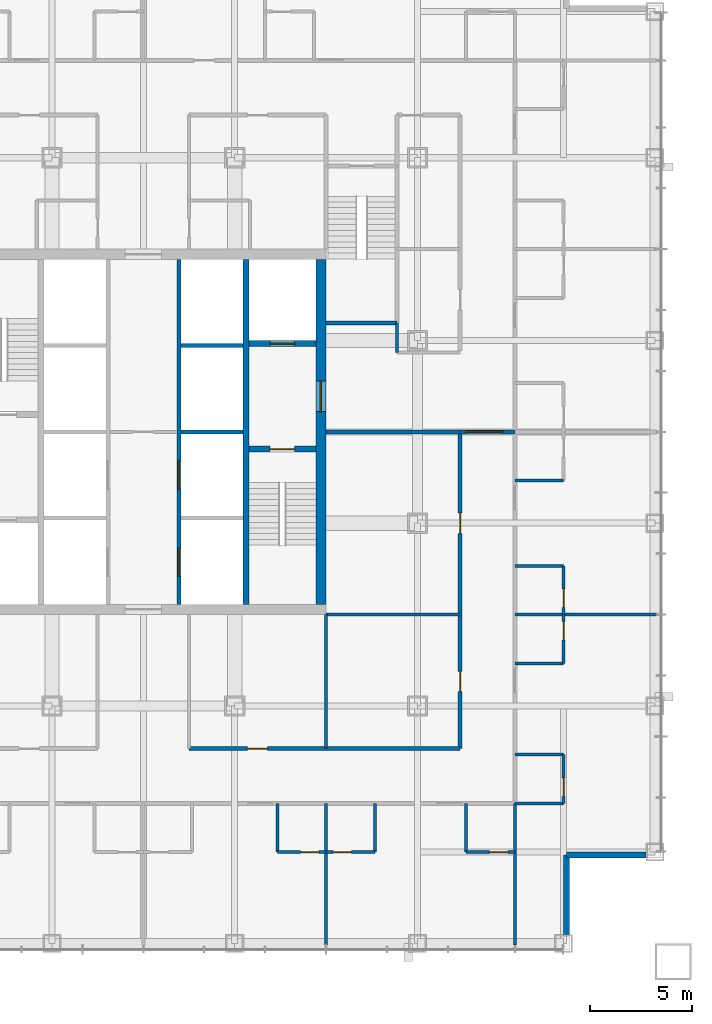
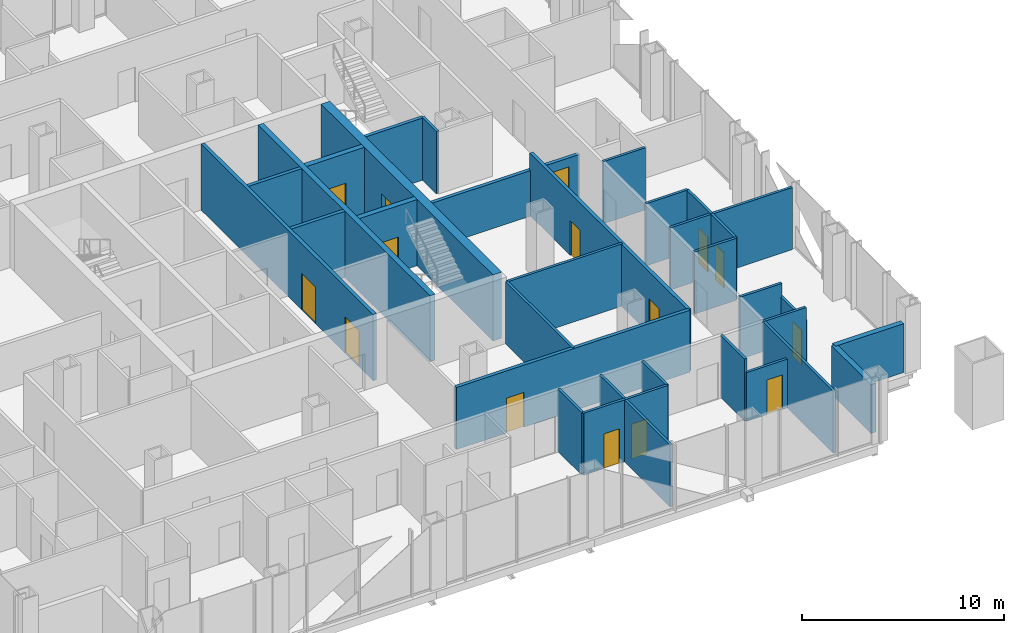
# One storey, part 9 of 13: 34 walls, 15 doors, 15 openings.
"""IFC4 building model written with IfcOpenShell, lengths in metres."""

from ifc_helpers import new_model, si_unit, direction, frame, frame_2d, origin, place, context, subcontext, project, spatial, rectangle, extrude, material, layer, layer_set, type_object, element, fill, save


model = new_model("IFC4")

# Units and contexts
model_context = context("Model", 3, precision=1e-05, world=origin(), true_north=direction((0.0, 1.0)))
body_context = subcontext(model_context, "Body", "Model", "MODEL_VIEW")
ifc_project = project(units=[si_unit("LENGTHUNIT", "METRE"), si_unit("AREAUNIT", "SQUARE_METRE"), si_unit("VOLUMEUNIT", "CUBIC_METRE"), si_unit("PLANEANGLEUNIT", "RADIAN"), si_unit("MASSUNIT", "GRAM", prefix="KILO")], contexts=[model_context])

# Site, building, storey
site_placement = place(None, origin())
site = spatial("IfcSite", under=ifc_project, at=site_placement, CompositionType="ELEMENT")
building_placement = place(site_placement, origin())
building = spatial("IfcBuilding", under=site, at=building_placement, Name="Malebo Sky Hospital", CompositionType="ELEMENT")
storey_placement = place(building_placement, frame((0.0, 0.0, 39.0)))
storey = spatial("IfcBuildingStorey", under=building, at=storey_placement, Name="L08", CompositionType="ELEMENT", Elevation=39.0)

# Wall, openings, doors
ifc_material_1 = material(Name="Concrete C80/95", Category="concrete")
ifc_layer_1 = layer(ifc_material_1, 0.199951171875)
ifc_layer_set_1 = layer_set([ifc_layer_1], Name="CORE INNER WALL 200")
wall_type_1 = type_object("IfcWallType", Name="CORE INNER WALL 200", PredefinedType="SHEAR", material=ifc_layer_set_1)
wall_1_placement = place(storey_placement, frame((61.75, 53.5, 0.0), z_axis=(0.0, 0.0, 1.0), x_axis=(0.0, 1.0, 0.0)))
wall_1 = element("IfcWall", 1, at=wall_1_placement, inside=storey, type_object=wall_type_1, Name="Core wall LE L08", PredefinedType="SHEAR", context=body_context, shape_type="SweptSolid", body=[
    extrude(rectangle(XDim=17.0, YDim=0.199951171875, at=frame_2d((8.5, 0.0))), origin(), (0.0, 0.0, 1.0), 4.0),
])
opening_1_placement = place(wall_1_placement, frame((1.375, 0.0, 0.0)))
opening_1 = element("IfcOpeningElement", 2, at=opening_1_placement, cuts=wall_1, Name="Opening LD1", PredefinedType="OPENING", context=body_context, shape_type="SweptSolid", body=[
    extrude(rectangle(XDim=1.39990234375, YDim=2.199951171875, at=frame_2d((0.699951171875, 1.10009765625))), frame((0.0, 0.10986328125, 0.0), z_axis=(0.0, -1.0, 0.0), x_axis=(1.0, 0.0, 0.0)), (0.0, 0.0, 1.0), 0.219970703125),
])
opening_2_placement = place(wall_1_placement, frame((5.675048828125, 0.0, 0.0)))
opening_2 = element("IfcOpeningElement", 3, at=opening_2_placement, cuts=wall_1, Name="Opening LD1", PredefinedType="OPENING", context=body_context, shape_type="SweptSolid", body=[
    extrude(rectangle(XDim=1.39990234375, YDim=2.199951171875, at=frame_2d((0.699951171875, 1.10009765625))), frame((0.0, 0.10986328125, 0.0), z_axis=(0.0, -1.0, 0.0), x_axis=(1.0, 0.0, 0.0)), (0.0, 0.0, 1.0), 0.219970703125),
])
ifc_material_2 = material(Name="Stainless steel sliding landing door", Category="steel")
door_type_1 = type_object("IfcDoorType", Name="LIFT LANDING DOOR 1400", OperationType="SLIDING_TO_LEFT", PredefinedType="DOOR", material=ifc_material_2)
door_1_placement = place(opening_1_placement, origin())
door_1 = element("IfcDoor", 4, at=door_1_placement, inside=storey, type_object=door_type_1, Name="Lift E1 landing door", OperationType="SLIDING_TO_LEFT", OverallHeight=2.199951171875, OverallWidth=1.39990234375, PredefinedType="DOOR", context=body_context, shape_type="SweptSolid", body=[
    extrude(rectangle(XDim=1.39990234375, YDim=2.199951171875, at=frame_2d((0.699951171875, 1.10009765625))), frame((0.0, 0.02490234375, 0.0), z_axis=(0.0, -1.0, 0.0), x_axis=(1.0, 0.0, 0.0)), (0.0, 0.0, 1.0), 0.050048828125),
])
fill(opening_1, door_1)
door_2_placement = place(opening_2_placement, origin())
door_2 = element("IfcDoor", 5, at=door_2_placement, inside=storey, type_object=door_type_1, Name="Lift E2 landing door", OperationType="SLIDING_TO_LEFT", OverallHeight=2.199951171875, OverallWidth=1.39990234375, PredefinedType="DOOR", context=body_context, shape_type="SweptSolid", body=[
    extrude(rectangle(XDim=1.39990234375, YDim=2.199951171875, at=frame_2d((0.699951171875, 1.10009765625))), frame((0.0, 0.02490234375, 0.0), z_axis=(0.0, -1.0, 0.0), x_axis=(1.0, 0.0, 0.0)), (0.0, 0.0, 1.0), 0.050048828125),
])
fill(opening_2, door_2)

# Walls
for number, where, z_axis, x_axis, name in (
    (6, (61.85009765625, 62.0, 0.0), (0.0, 0.0, 1.0), (1.0, 0.0, 0.0), "Core wall SE1 L08"),
    (7, (61.85009765625, 66.25, 0.0), (0.0, 0.0, 1.0), (1.0, 0.0, 0.0), "Core wall SE2 L08"),
):
    element("IfcWall", number, at=place(storey_placement, frame(where, z_axis=z_axis, x_axis=x_axis)), inside=storey, type_object=wall_type_1, Name=name, PredefinedType="SHEAR", context=body_context, shape_type="SweptSolid", body=[
        extrude(rectangle(XDim=3.0498046875, YDim=0.199951171875, at=frame_2d((1.52490234375, 0.0))), origin(), (0.0, 0.0, 1.0), 4.0),
    ])
ifc_layer_2 = layer(ifc_material_1, 0.300048828125)
ifc_layer_set_2 = layer_set([ifc_layer_2], Name="CORE INNER WALL 300")
wall_type_2 = type_object("IfcWallType", Name="CORE INNER WALL 300", PredefinedType="SHEAR", material=ifc_layer_set_2)
wall_2_placement = place(storey_placement, frame((65.050048828125, 53.5, 0.0), z_axis=(0.0, 0.0, 1.0), x_axis=(0.0, 1.0, 0.0)))
element("IfcWall", 8, at=wall_2_placement, inside=storey, type_object=wall_type_2, Name="Core wall XE L08", PredefinedType="SHEAR", context=body_context, shape_type="SweptSolid", body=[
    extrude(rectangle(XDim=17.0, YDim=0.300048828125, at=frame_2d((8.5, 0.0))), origin(), (0.0, 0.0, 1.0), 4.0),
])

# Wall, opening, door
wall_3_placement = place(storey_placement, frame((65.199951171875, 61.14990234375, 0.0), z_axis=(0.0, 0.0, 1.0), x_axis=(1.0, 0.0, 0.0)))
wall_3 = element("IfcWall", 9, at=wall_3_placement, inside=storey, type_object=wall_type_2, Name="Core wall E1 L08", PredefinedType="SHEAR", context=body_context, shape_type="SweptSolid", body=[
    extrude(rectangle(XDim=3.300048828125, YDim=0.300048828125, at=frame_2d((1.64990234375, 0.0))), origin(), (0.0, 0.0, 1.0), 4.0),
])
opening_3_placement = place(wall_3_placement, frame((1.050048828125, 0.0, 0.0)))
opening_3 = element("IfcOpeningElement", 10, at=opening_3_placement, cuts=wall_3, Name="Opening D08", PredefinedType="OPENING", context=body_context, shape_type="SweptSolid", body=[
    extrude(rectangle(XDim=1.199951171875, YDim=2.10009765625, at=frame_2d((0.60009765625, 1.050048828125))), frame((0.0, 0.159912109375, 0.0), z_axis=(0.0, -1.0, 0.0), x_axis=(1.0, 0.0, 0.0)), (0.0, 0.0, 1.0), 0.320068359375),
])
ifc_material_3 = material(Name="Hardwood-faced door leaf in steel frame", Category="steel")
door_type_2 = type_object("IfcDoorType", Name="STAIR DOOR 1200", OperationType="SINGLE_SWING_LEFT", PredefinedType="DOOR", material=ifc_material_3)
door_3_placement = place(opening_3_placement, origin())
door_3 = element("IfcDoor", 11, at=door_3_placement, inside=storey, type_object=door_type_2, Name="Stair S2 door", OperationType="SINGLE_SWING_LEFT", OverallHeight=2.10009765625, OverallWidth=1.199951171875, PredefinedType="DOOR", context=body_context, shape_type="SweptSolid", body=[
    extrude(rectangle(XDim=1.199951171875, YDim=2.10009765625, at=frame_2d((0.60009765625, 1.050048828125))), frame((0.0, 0.02490234375, 0.0), z_axis=(0.0, -1.0, 0.0), x_axis=(1.0, 0.0, 0.0)), (0.0, 0.0, 1.0), 0.050048828125),
])
fill(opening_3, door_3)

wall_4_placement = place(storey_placement, frame((65.199951171875, 66.35009765625, 0.0), z_axis=(0.0, 0.0, 1.0), x_axis=(1.0, 0.0, 0.0)))
wall_4 = element("IfcWall", 12, at=wall_4_placement, inside=storey, type_object=wall_type_2, Name="Core wall E2 L08", PredefinedType="SHEAR", context=body_context, shape_type="SweptSolid", body=[
    extrude(rectangle(XDim=3.300048828125, YDim=0.300048828125, at=frame_2d((1.64990234375, 0.0))), origin(), (0.0, 0.0, 1.0), 4.0),
])
opening_4_placement = place(wall_4_placement, frame((1.050048828125, 0.0, 0.0)))
opening_4 = element("IfcOpeningElement", 13, at=opening_4_placement, cuts=wall_4, Name="Opening LD2", PredefinedType="OPENING", context=body_context, shape_type="SweptSolid", body=[
    extrude(rectangle(XDim=1.199951171875, YDim=2.199951171875, at=frame_2d((0.60009765625, 1.10009765625))), frame((0.0, 0.159912109375, 0.0), z_axis=(0.0, -1.0, 0.0), x_axis=(1.0, 0.0, 0.0)), (0.0, 0.0, 1.0), 0.320068359375),
])
door_type_3 = type_object("IfcDoorType", Name="FIRE-FIGHTING LIFT LANDING DOOR 1200", OperationType="SLIDING_TO_LEFT", PredefinedType="DOOR", material=ifc_material_2)
door_4_placement = place(opening_4_placement, origin())
door_4 = element("IfcDoor", 14, at=door_4_placement, inside=storey, type_object=door_type_3, Name="Lift FL2 landing door", OperationType="SLIDING_TO_LEFT", OverallHeight=2.199951171875, OverallWidth=1.199951171875, PredefinedType="DOOR", context=body_context, shape_type="SweptSolid", body=[
    extrude(rectangle(XDim=1.199951171875, YDim=2.199951171875, at=frame_2d((0.60009765625, 1.10009765625))), frame((0.0, 0.02490234375, 0.0), z_axis=(0.0, -1.0, 0.0), x_axis=(1.0, 0.0, 0.0)), (0.0, 0.0, 1.0), 0.050048828125),
])
fill(opening_4, door_4)

ifc_layer_3 = layer(ifc_material_1, 0.5)
ifc_layer_set_3 = layer_set([ifc_layer_3], Name="CORE WALL 500")
wall_type_3 = type_object("IfcWallType", Name="CORE WALL 500", PredefinedType="SHEAR", material=ifc_layer_set_3)
wall_5_placement = place(storey_placement, frame((68.75, 53.5, 0.0), z_axis=(0.0, 0.0, 1.0), x_axis=(0.0, 1.0, 0.0)))
wall_5 = element("IfcWall", 15, at=wall_5_placement, inside=storey, type_object=wall_type_3, Name="Core wall E L08", PredefinedType="SHEAR", context=body_context, shape_type="SweptSolid", body=[
    extrude(rectangle(XDim=17.0, YDim=0.5, at=frame_2d((8.5, 0.0))), origin(), (0.0, 0.0, 1.0), 4.0),
])
opening_5_placement = place(wall_5_placement, frame((9.5, 0.0, 0.0)))
opening_5 = element("IfcOpeningElement", 16, at=opening_5_placement, cuts=wall_5, Name="Opening D07", PredefinedType="OPENING", context=body_context, shape_type="SweptSolid", body=[
    extrude(rectangle(XDim=1.5, YDim=2.199951171875, at=frame_2d((0.75, 1.10009765625))), frame((0.0, 0.260009765625, 0.0), z_axis=(0.0, -1.0, 0.0), x_axis=(1.0, 0.0, 0.0)), (0.0, 0.0, 1.0), 0.52001953125),
])
door_type_4 = type_object("IfcDoorType", Name="FIRE-FIGHTING LOBBY DOOR PAIR 1500", OperationType="DOUBLE_DOOR_SINGLE_SWING", PredefinedType="DOOR", material=ifc_material_3)
door_5_placement = place(opening_5_placement, origin())
door_5 = element("IfcDoor", 17, at=door_5_placement, inside=storey, type_object=door_type_4, Name="Fire-fighting lobby door east", OperationType="DOUBLE_DOOR_SINGLE_SWING", OverallHeight=2.199951171875, OverallWidth=1.5, PredefinedType="DOOR", context=body_context, shape_type="SweptSolid", body=[
    extrude(rectangle(XDim=1.5, YDim=2.199951171875, at=frame_2d((0.75, 1.10009765625))), frame((0.0, 0.02490234375, 0.0), z_axis=(0.0, -1.0, 0.0), x_axis=(1.0, 0.0, 0.0)), (0.0, 0.0, 1.0), 0.050048828125),
])
fill(opening_5, door_5)

ifc_material_4 = material(Name="Gypsum board on steel studs", Category="steel")
ifc_layer_4 = layer(ifc_material_4, 0.199951171875)
ifc_layer_set_4 = layer_set([ifc_layer_4], Name="CORRIDOR WALL 200")
wall_type_4 = type_object("IfcWallType", Name="CORRIDOR WALL 200", PredefinedType="PARTITIONING", material=ifc_layer_set_4)
wall_6_placement = place(storey_placement, frame((75.60009765625, 46.39990234375, 0.0), z_axis=(0.0, 0.0, 1.0), x_axis=(-1.0, 0.0, 0.0)))
wall_6 = element("IfcWall", 18, at=wall_6_placement, inside=storey, type_object=wall_type_4, Name="Corridor Wall 200 SCI1", PredefinedType="PARTITIONING", context=body_context, shape_type="SweptSolid", body=[
    extrude(rectangle(XDim=13.35009765625, YDim=0.199951171875, at=frame_2d((6.675048828125, 0.0))), origin(), (0.0, 0.0, 1.0), 3.75),
])
opening_6_placement = place(wall_6_placement, frame((9.47509765625, 0.0, 0.0)))
opening_6 = element("IfcOpeningElement", 19, at=opening_6_placement, cuts=wall_6, Name="Opening D03", PredefinedType="OPENING", context=body_context, shape_type="SweptSolid", body=[
    extrude(rectangle(XDim=1.0, YDim=2.10009765625, at=frame_2d((0.5, 1.050048828125))), frame((0.0, 0.10986328125, 0.0), z_axis=(0.0, -1.0, 0.0), x_axis=(1.0, 0.0, 0.0)), (0.0, 0.0, 1.0), 0.219970703125),
])
door_type_5 = type_object("IfcDoorType", Name="ROOM DOOR 1000", OperationType="SINGLE_SWING_LEFT", PredefinedType="DOOR", material=ifc_material_3)
door_6_placement = place(opening_6_placement, origin())
door_6 = element("IfcDoor", 20, at=door_6_placement, inside=storey, type_object=door_type_5, Name="Treatment room door", OperationType="SINGLE_SWING_LEFT", OverallHeight=2.10009765625, OverallWidth=1.0, PredefinedType="DOOR", context=body_context, shape_type="SweptSolid", body=[
    extrude(rectangle(XDim=1.0, YDim=2.10009765625, at=frame_2d((0.5, 1.050048828125))), frame((0.0, 0.02490234375, 0.0), z_axis=(0.0, -1.0, 0.0), x_axis=(1.0, 0.0, 0.0)), (0.0, 0.0, 1.0), 0.050048828125),
])
fill(opening_6, door_6)

# Wall, openings, doors
wall_7_placement = place(storey_placement, frame((75.60009765625, 62.0, 0.0), z_axis=(0.0, 0.0, 1.0), x_axis=(0.0, -1.0, 0.0)))
wall_7 = element("IfcWall", 21, at=wall_7_placement, inside=storey, type_object=wall_type_4, Name="Corridor Wall 200 ECI2", PredefinedType="PARTITIONING", context=body_context, shape_type="SweptSolid", body=[
    extrude(rectangle(XDim=15.60009765625, YDim=0.199951171875, at=frame_2d((7.800048828125, 0.0))), origin(), (0.0, 0.0, 1.0), 3.75),
])
opening_7_placement = place(wall_7_placement, frame((4.0, 0.0, 0.0)))
opening_7 = element("IfcOpeningElement", 22, at=opening_7_placement, cuts=wall_7, Name="Opening D03", PredefinedType="OPENING", context=body_context, shape_type="SweptSolid", body=[
    extrude(rectangle(XDim=1.0, YDim=2.10009765625, at=frame_2d((0.5, 1.050048828125))), frame((0.0, 0.10986328125, 0.0), z_axis=(0.0, -1.0, 0.0), x_axis=(1.0, 0.0, 0.0)), (0.0, 0.0, 1.0), 0.219970703125),
])
opening_8_placement = place(wall_7_placement, frame((11.800048828125, 0.0, 0.0)))
opening_8 = element("IfcOpeningElement", 23, at=opening_8_placement, cuts=wall_7, Name="Opening D03", PredefinedType="OPENING", context=body_context, shape_type="SweptSolid", body=[
    extrude(rectangle(XDim=1.0, YDim=2.10009765625, at=frame_2d((0.5, 1.050048828125))), frame((0.0, 0.10986328125, 0.0), z_axis=(0.0, -1.0, 0.0), x_axis=(1.0, 0.0, 0.0)), (0.0, 0.0, 1.0), 0.219970703125),
])
door_7_placement = place(opening_7_placement, origin())
door_7 = element("IfcDoor", 24, at=door_7_placement, inside=storey, type_object=door_type_5, Name="Staff rest room door", OperationType="SINGLE_SWING_LEFT", OverallHeight=2.10009765625, OverallWidth=1.0, PredefinedType="DOOR", context=body_context, shape_type="SweptSolid", body=[
    extrude(rectangle(XDim=1.0, YDim=2.10009765625, at=frame_2d((0.5, 1.050048828125))), frame((0.0, 0.02490234375, 0.0), z_axis=(0.0, -1.0, 0.0), x_axis=(1.0, 0.0, 0.0)), (0.0, 0.0, 1.0), 0.050048828125),
])
fill(opening_7, door_7)
door_8_placement = place(opening_8_placement, origin())
door_8 = element("IfcDoor", 25, at=door_8_placement, inside=storey, type_object=door_type_5, Name="Dirty utility room door", OperationType="SINGLE_SWING_RIGHT", OverallHeight=2.10009765625, OverallWidth=1.0, PredefinedType="DOOR", context=body_context, shape_type="SweptSolid", body=[
    extrude(rectangle(XDim=1.0, YDim=2.10009765625, at=frame_2d((0.5, 1.050048828125))), frame((0.0, 0.02490234375, 0.0), z_axis=(0.0, -1.0, 0.0), x_axis=(1.0, 0.0, 0.0)), (0.0, 0.0, 1.0), 0.050048828125),
])
fill(opening_8, door_8)

# Walls
ifc_material_5 = material(Name="Anodised aluminium rainscreen on steel framing", Category="steel")
ifc_layer_5 = layer(ifc_material_5, 0.300048828125)
ifc_layer_set_5 = layer_set([ifc_layer_5], Name="NOTCH RAINSCREEN WALL 300")
wall_type_5 = type_object("IfcWallType", Name="NOTCH RAINSCREEN WALL 300", PredefinedType="ELEMENTEDWALL", material=ifc_layer_set_5)
for number, where, z_axis, x_axis, name in (
    (26, (84.75, 41.14990234375, 0.0), (0.0, 0.0, 1.0), (-1.0, 0.0, 0.0), "Notch rainscreen wall E1 L08"),
    (27, (80.85009765625, 41.14990234375, 0.0), (0.0, 0.0, 1.0), (0.0, -1.0, 0.0), "Notch rainscreen wall E2 L08"),
):
    element("IfcWall", number, at=place(storey_placement, frame(where, z_axis=z_axis, x_axis=x_axis)), inside=storey, type_object=wall_type_5, Name=name, PredefinedType="ELEMENTEDWALL", context=body_context, shape_type="SweptSolid", body=[
        extrude(rectangle(XDim=3.89990234375, YDim=0.300048828125, at=frame_2d((1.949951171875, 0.0))), origin(), (0.0, 0.0, 1.0), 2.949951171875),
    ])
ifc_layer_6 = layer(ifc_material_4, 0.14990234375)
ifc_layer_set_6 = layer_set([ifc_layer_6], Name="PARTITION 150")
wall_type_6 = type_object("IfcWallType", Name="PARTITION 150", PredefinedType="PARTITIONING", material=ifc_layer_set_6)
for number, where, z_axis, x_axis, name in (
    (28, (69.0, 43.699951171875, 0.0), (0.0, 0.0, 1.0), (0.0, -1.0, 0.0), "Partition 150 SP-9.0"),
    (29, (78.300048828125, 43.699951171875, 0.0), (0.0, 0.0, 1.0), (0.0, -1.0, 0.0), "Partition 150 SP0"),
):
    element("IfcWall", number, at=place(storey_placement, frame(where, z_axis=z_axis, x_axis=x_axis)), inside=storey, type_object=wall_type_6, Name=name, PredefinedType="PARTITIONING", context=body_context, shape_type="SweptSolid", body=[
        extrude(rectangle(XDim=6.974853515625, YDim=0.14990234375, at=frame_2d((3.4873046875, 0.0))), origin(), (0.0, 0.0, 1.0), 3.75),
    ])

# Wall, opening, door
wall_8_placement = place(storey_placement, frame((78.300048828125, 41.300048828125, 0.0), z_axis=(0.0, 0.0, 1.0), x_axis=(-1.0, 0.0, 0.0)))
wall_8 = element("IfcWall", 30, at=wall_8_placement, inside=storey, type_object=wall_type_6, Name="Partition 150 SE0F", PredefinedType="PARTITIONING", context=body_context, shape_type="SweptSolid", body=[
    extrude(rectangle(XDim=2.400146484375, YDim=0.14990234375, at=frame_2d((1.2001953125, 0.0))), origin(), (0.0, 0.0, 1.0), 2.949951171875),
])
opening_9_placement = place(wall_8_placement, frame((0.35009765625, 0.0, 0.0)))
opening_9 = element("IfcOpeningElement", 31, at=opening_9_placement, cuts=wall_8, Name="Opening D02", PredefinedType="OPENING", context=body_context, shape_type="SweptSolid", body=[
    extrude(rectangle(XDim=0.89990234375, YDim=2.10009765625, at=frame_2d((0.449951171875, 1.050048828125))), frame((0.0, 0.0849609375, 0.0), z_axis=(0.0, -1.0, 0.0), x_axis=(1.0, 0.0, 0.0)), (0.0, 0.0, 1.0), 0.169921875),
])
door_type_6 = type_object("IfcDoorType", Name="EN-SUITE DOOR 900", OperationType="SINGLE_SWING_LEFT", PredefinedType="DOOR", material=ifc_material_3)
door_9_placement = place(opening_9_placement, origin())
door_9 = element("IfcDoor", 32, at=door_9_placement, inside=storey, type_object=door_type_6, Name="En-suite door", OperationType="SINGLE_SWING_LEFT", OverallHeight=2.10009765625, OverallWidth=0.89990234375, PredefinedType="DOOR", context=body_context, shape_type="SweptSolid", body=[
    extrude(rectangle(XDim=0.89990234375, YDim=2.10009765625, at=frame_2d((0.449951171875, 1.050048828125))), frame((0.0, 0.02490234375, 0.0), z_axis=(0.0, -1.0, 0.0), x_axis=(1.0, 0.0, 0.0)), (0.0, 0.0, 1.0), 0.050048828125),
])
fill(opening_9, door_9)

# Wall
wall_9_placement = place(storey_placement, frame((75.89990234375, 43.699951171875, 0.0), z_axis=(0.0, 0.0, 1.0), x_axis=(0.0, -1.0, 0.0)))
element("IfcWall", 33, at=wall_9_placement, inside=storey, type_object=wall_type_6, Name="Partition 150 SE0S", PredefinedType="PARTITIONING", context=body_context, shape_type="SweptSolid", body=[
    extrude(rectangle(XDim=2.39990234375, YDim=0.14990234375, at=frame_2d((1.199951171875, 0.0))), origin(), (0.0, 0.0, 1.0), 3.75),
])

# Wall, opening, door
wall_10_placement = place(storey_placement, frame((71.39990234375, 41.300048828125, 0.0), z_axis=(0.0, 0.0, 1.0), x_axis=(-1.0, 0.0, 0.0)))
wall_10 = element("IfcWall", 34, at=wall_10_placement, inside=storey, type_object=wall_type_6, Name="Partition 150 SG0F", PredefinedType="PARTITIONING", context=body_context, shape_type="SweptSolid", body=[
    extrude(rectangle(XDim=2.39990234375, YDim=0.14990234375, at=frame_2d((1.199951171875, 0.0))), origin(), (0.0, 0.0, 1.0), 3.75),
])
opening_10_placement = place(wall_10_placement, frame((1.14990234375, 0.0, 0.0)))
opening_10 = element("IfcOpeningElement", 35, at=opening_10_placement, cuts=wall_10, Name="Opening D02", PredefinedType="OPENING", context=body_context, shape_type="SweptSolid", body=[
    extrude(rectangle(XDim=0.89990234375, YDim=2.10009765625, at=frame_2d((0.449951171875, 1.050048828125))), frame((0.0, 0.0849609375, 0.0), z_axis=(0.0, -1.0, 0.0), x_axis=(1.0, 0.0, 0.0)), (0.0, 0.0, 1.0), 0.169921875),
])
door_10_placement = place(opening_10_placement, origin())
door_10 = element("IfcDoor", 36, at=door_10_placement, inside=storey, type_object=door_type_6, Name="En-suite door", OperationType="SINGLE_SWING_RIGHT", OverallHeight=2.10009765625, OverallWidth=0.89990234375, PredefinedType="DOOR", context=body_context, shape_type="SweptSolid", body=[
    extrude(rectangle(XDim=0.89990234375, YDim=2.10009765625, at=frame_2d((0.449951171875, 1.050048828125))), frame((0.0, 0.02490234375, 0.0), z_axis=(0.0, -1.0, 0.0), x_axis=(1.0, 0.0, 0.0)), (0.0, 0.0, 1.0), 0.050048828125),
])
fill(opening_10, door_10)

# Wall
wall_11_placement = place(storey_placement, frame((71.39990234375, 43.699951171875, 0.0), z_axis=(0.0, 0.0, 1.0), x_axis=(0.0, -1.0, 0.0)))
element("IfcWall", 37, at=wall_11_placement, inside=storey, type_object=wall_type_6, Name="Partition 150 SG0S", PredefinedType="PARTITIONING", context=body_context, shape_type="SweptSolid", body=[
    extrude(rectangle(XDim=2.39990234375, YDim=0.14990234375, at=frame_2d((1.199951171875, 0.0))), origin(), (0.0, 0.0, 1.0), 3.75),
])

# Wall, opening, door
wall_12_placement = place(storey_placement, frame((69.0, 41.300048828125, 0.0), z_axis=(0.0, 0.0, 1.0), x_axis=(-1.0, 0.0, 0.0)))
wall_12 = element("IfcWall", 38, at=wall_12_placement, inside=storey, type_object=wall_type_6, Name="Partition 150 SE1F", PredefinedType="PARTITIONING", context=body_context, shape_type="SweptSolid", body=[
    extrude(rectangle(XDim=2.39990234375, YDim=0.14990234375, at=frame_2d((1.199951171875, 0.0))), origin(), (0.0, 0.0, 1.0), 3.75),
])
opening_11_placement = place(wall_12_placement, frame((0.35009765625, 0.0, 0.0)))
opening_11 = element("IfcOpeningElement", 39, at=opening_11_placement, cuts=wall_12, Name="Opening D02", PredefinedType="OPENING", context=body_context, shape_type="SweptSolid", body=[
    extrude(rectangle(XDim=0.89990234375, YDim=2.10009765625, at=frame_2d((0.449951171875, 1.050048828125))), frame((0.0, 0.0849609375, 0.0), z_axis=(0.0, -1.0, 0.0), x_axis=(1.0, 0.0, 0.0)), (0.0, 0.0, 1.0), 0.169921875),
])
door_11_placement = place(opening_11_placement, origin())
door_11 = element("IfcDoor", 40, at=door_11_placement, inside=storey, type_object=door_type_6, Name="En-suite door", OperationType="SINGLE_SWING_LEFT", OverallHeight=2.10009765625, OverallWidth=0.89990234375, PredefinedType="DOOR", context=body_context, shape_type="SweptSolid", body=[
    extrude(rectangle(XDim=0.89990234375, YDim=2.10009765625, at=frame_2d((0.449951171875, 1.050048828125))), frame((0.0, 0.02490234375, 0.0), z_axis=(0.0, -1.0, 0.0), x_axis=(1.0, 0.0, 0.0)), (0.0, 0.0, 1.0), 0.050048828125),
])
fill(opening_11, door_11)

# Walls
wall_13_placement = place(storey_placement, frame((66.60009765625, 43.699951171875, 0.0), z_axis=(0.0, 0.0, 1.0), x_axis=(0.0, -1.0, 0.0)))
element("IfcWall", 41, at=wall_13_placement, inside=storey, type_object=wall_type_6, Name="Partition 150 SE1S", PredefinedType="PARTITIONING", context=body_context, shape_type="SweptSolid", body=[
    extrude(rectangle(XDim=2.39990234375, YDim=0.14990234375, at=frame_2d((1.199951171875, 0.0))), origin(), (0.0, 0.0, 1.0), 3.75),
])
wall_14_placement = place(storey_placement, frame((69.0, 53.0, 0.0), z_axis=(0.0, 0.0, 1.0), x_axis=(0.0, -1.0, 0.0)))
element("IfcWall", 42, at=wall_14_placement, inside=storey, type_object=wall_type_6, Name="Partition 150 SSP0", PredefinedType="PARTITIONING", context=body_context, shape_type="SweptSolid", body=[
    extrude(rectangle(XDim=6.60009765625, YDim=0.14990234375, at=frame_2d((3.300048828125, 0.0))), origin(), (0.0, 0.0, 1.0), 3.75),
])
wall_15_placement = place(storey_placement, frame((78.300048828125, 53.0, 0.0), z_axis=(0.0, 0.0, 1.0), x_axis=(1.0, 0.0, 0.0)))
element("IfcWall", 43, at=wall_15_placement, inside=storey, type_object=wall_type_6, Name="Partition 150 EP+9.0", PredefinedType="PARTITIONING", context=body_context, shape_type="SweptSolid", body=[
    extrude(rectangle(XDim=6.974853515625, YDim=0.14990234375, at=frame_2d((3.4873046875, 0.0))), origin(), (0.0, 0.0, 1.0), 3.75),
])
wall_16_placement = place(storey_placement, frame((78.300048828125, 59.60009765625, 0.0), z_axis=(0.0, 0.0, 1.0), x_axis=(1.0, 0.0, 0.0)))
element("IfcWall", 44, at=wall_16_placement, inside=storey, type_object=wall_type_6, Name="Partition 150 EE2S", PredefinedType="PARTITIONING", context=body_context, shape_type="SweptSolid", body=[
    extrude(rectangle(XDim=2.39990234375, YDim=0.14990234375, at=frame_2d((1.199951171875, 0.0))), origin(), (0.0, 0.0, 1.0), 3.75),
])

# Wall, opening, door
wall_17_placement = place(storey_placement, frame((80.699951171875, 55.39990234375, 0.0), z_axis=(0.0, 0.0, 1.0), x_axis=(0.0, -1.0, 0.0)))
wall_17 = element("IfcWall", 45, at=wall_17_placement, inside=storey, type_object=wall_type_6, Name="Partition 150 EG2F", PredefinedType="PARTITIONING", context=body_context, shape_type="SweptSolid", body=[
    extrude(rectangle(XDim=2.39990234375, YDim=0.14990234375, at=frame_2d((1.199951171875, 0.0))), origin(), (0.0, 0.0, 1.0), 3.75),
])
opening_12_placement = place(wall_17_placement, frame((1.14990234375, 0.0, 0.0)))
opening_12 = element("IfcOpeningElement", 46, at=opening_12_placement, cuts=wall_17, Name="Opening D02", PredefinedType="OPENING", context=body_context, shape_type="SweptSolid", body=[
    extrude(rectangle(XDim=0.89990234375, YDim=2.10009765625, at=frame_2d((0.449951171875, 1.050048828125))), frame((0.0, 0.0849609375, 0.0), z_axis=(0.0, -1.0, 0.0), x_axis=(1.0, 0.0, 0.0)), (0.0, 0.0, 1.0), 0.169921875),
])
door_12_placement = place(opening_12_placement, origin())
door_12 = element("IfcDoor", 47, at=door_12_placement, inside=storey, type_object=door_type_6, Name="En-suite door", OperationType="SINGLE_SWING_RIGHT", OverallHeight=2.10009765625, OverallWidth=0.89990234375, PredefinedType="DOOR", context=body_context, shape_type="SweptSolid", body=[
    extrude(rectangle(XDim=0.89990234375, YDim=2.10009765625, at=frame_2d((0.449951171875, 1.050048828125))), frame((0.0, 0.02490234375, 0.0), z_axis=(0.0, -1.0, 0.0), x_axis=(1.0, 0.0, 0.0)), (0.0, 0.0, 1.0), 0.050048828125),
])
fill(opening_12, door_12)

# Wall
wall_18_placement = place(storey_placement, frame((78.300048828125, 55.39990234375, 0.0), z_axis=(0.0, 0.0, 1.0), x_axis=(1.0, 0.0, 0.0)))
element("IfcWall", 48, at=wall_18_placement, inside=storey, type_object=wall_type_6, Name="Partition 150 EG2S", PredefinedType="PARTITIONING", context=body_context, shape_type="SweptSolid", body=[
    extrude(rectangle(XDim=2.39990234375, YDim=0.14990234375, at=frame_2d((1.199951171875, 0.0))), origin(), (0.0, 0.0, 1.0), 3.75),
])

# Wall, opening, door
wall_19_placement = place(storey_placement, frame((80.699951171875, 53.0, 0.0), z_axis=(0.0, 0.0, 1.0), x_axis=(0.0, -1.0, 0.0)))
wall_19 = element("IfcWall", 49, at=wall_19_placement, inside=storey, type_object=wall_type_6, Name="Partition 150 EE3F", PredefinedType="PARTITIONING", context=body_context, shape_type="SweptSolid", body=[
    extrude(rectangle(XDim=2.39990234375, YDim=0.14990234375, at=frame_2d((1.199951171875, 0.0))), origin(), (0.0, 0.0, 1.0), 3.75),
])
opening_13_placement = place(wall_19_placement, frame((0.35009765625, 0.0, 0.0)))
opening_13 = element("IfcOpeningElement", 50, at=opening_13_placement, cuts=wall_19, Name="Opening D02", PredefinedType="OPENING", context=body_context, shape_type="SweptSolid", body=[
    extrude(rectangle(XDim=0.89990234375, YDim=2.10009765625, at=frame_2d((0.449951171875, 1.050048828125))), frame((0.0, 0.0849609375, 0.0), z_axis=(0.0, -1.0, 0.0), x_axis=(1.0, 0.0, 0.0)), (0.0, 0.0, 1.0), 0.169921875),
])
door_13_placement = place(opening_13_placement, origin())
door_13 = element("IfcDoor", 51, at=door_13_placement, inside=storey, type_object=door_type_6, Name="En-suite door", OperationType="SINGLE_SWING_LEFT", OverallHeight=2.10009765625, OverallWidth=0.89990234375, PredefinedType="DOOR", context=body_context, shape_type="SweptSolid", body=[
    extrude(rectangle(XDim=0.89990234375, YDim=2.10009765625, at=frame_2d((0.449951171875, 1.050048828125))), frame((0.0, 0.02490234375, 0.0), z_axis=(0.0, -1.0, 0.0), x_axis=(1.0, 0.0, 0.0)), (0.0, 0.0, 1.0), 0.050048828125),
])
fill(opening_13, door_13)

# Wall
wall_20_placement = place(storey_placement, frame((78.300048828125, 50.60009765625, 0.0), z_axis=(0.0, 0.0, 1.0), x_axis=(1.0, 0.0, 0.0)))
element("IfcWall", 52, at=wall_20_placement, inside=storey, type_object=wall_type_6, Name="Partition 150 EE3S", PredefinedType="PARTITIONING", context=body_context, shape_type="SweptSolid", body=[
    extrude(rectangle(XDim=2.39990234375, YDim=0.14990234375, at=frame_2d((1.199951171875, 0.0))), origin(), (0.0, 0.0, 1.0), 3.75),
])

# Wall, opening, door
wall_21_placement = place(storey_placement, frame((80.699951171875, 46.10009765625, 0.0), z_axis=(0.0, 0.0, 1.0), x_axis=(0.0, -1.0, 0.0)))
wall_21 = element("IfcWall", 53, at=wall_21_placement, inside=storey, type_object=wall_type_6, Name="Partition 150 EG3F", PredefinedType="PARTITIONING", context=body_context, shape_type="SweptSolid", body=[
    extrude(rectangle(XDim=2.400146484375, YDim=0.14990234375, at=frame_2d((1.2001953125, 0.0))), origin(), (0.0, 0.0, 1.0), 2.949951171875),
])
opening_14_placement = place(wall_21_placement, frame((1.14990234375, 0.0, 0.0)))
opening_14 = element("IfcOpeningElement", 54, at=opening_14_placement, cuts=wall_21, Name="Opening D02", PredefinedType="OPENING", context=body_context, shape_type="SweptSolid", body=[
    extrude(rectangle(XDim=0.89990234375, YDim=2.10009765625, at=frame_2d((0.449951171875, 1.050048828125))), frame((0.0, 0.0849609375, 0.0), z_axis=(0.0, -1.0, 0.0), x_axis=(1.0, 0.0, 0.0)), (0.0, 0.0, 1.0), 0.169921875),
])
door_14_placement = place(opening_14_placement, origin())
door_14 = element("IfcDoor", 55, at=door_14_placement, inside=storey, type_object=door_type_6, Name="En-suite door", OperationType="SINGLE_SWING_RIGHT", OverallHeight=2.10009765625, OverallWidth=0.89990234375, PredefinedType="DOOR", context=body_context, shape_type="SweptSolid", body=[
    extrude(rectangle(XDim=0.89990234375, YDim=2.10009765625, at=frame_2d((0.449951171875, 1.050048828125))), frame((0.0, 0.02490234375, 0.0), z_axis=(0.0, -1.0, 0.0), x_axis=(1.0, 0.0, 0.0)), (0.0, 0.0, 1.0), 0.050048828125),
])
fill(opening_14, door_14)

# Walls
for number, where, z_axis, x_axis, name in (
    (56, (78.300048828125, 46.10009765625, 0.0), (0.0, 0.0, 1.0), (1.0, 0.0, 0.0), "Partition 150 EG3S"),
    (57, (78.300048828125, 43.699951171875, 0.0), (0.0, 0.0, 1.0), (1.0, 0.0, 0.0), "Partition 150 EEZ"),
):
    element("IfcWall", number, at=place(storey_placement, frame(where, z_axis=z_axis, x_axis=x_axis)), inside=storey, type_object=wall_type_6, Name=name, PredefinedType="PARTITIONING", context=body_context, shape_type="SweptSolid", body=[
        extrude(rectangle(XDim=2.39990234375, YDim=0.14990234375, at=frame_2d((1.199951171875, 0.0))), origin(), (0.0, 0.0, 1.0), 3.75),
    ])
wall_22_placement = place(storey_placement, frame((69.0, 53.0, 0.0), z_axis=(0.0, 0.0, 1.0), x_axis=(1.0, 0.0, 0.0)))
element("IfcWall", 58, at=wall_22_placement, inside=storey, type_object=wall_type_6, Name="Partition 150 ESP+9.0", PredefinedType="PARTITIONING", context=body_context, shape_type="SweptSolid", body=[
    extrude(rectangle(XDim=6.60009765625, YDim=0.14990234375, at=frame_2d((3.300048828125, 0.0))), origin(), (0.0, 0.0, 1.0), 3.75),
])
wall_23_placement = place(storey_placement, frame((72.5, 65.89990234375, 0.0), z_axis=(0.0, 0.0, 1.0), x_axis=(0.0, 1.0, 0.0)))
element("IfcWall", 59, at=wall_23_placement, inside=storey, type_object=wall_type_6, Name="Partition 150 ST3C", PredefinedType="PARTITIONING", context=body_context, shape_type="SweptSolid", body=[
    extrude(rectangle(XDim=1.4501953125, YDim=0.14990234375, at=frame_2d((0.72509765625, 0.0))), origin(), (0.0, 0.0, 1.0), 3.75),
])
ifc_material_6 = material(Name="Concrete blockwork", Category="masonry")
ifc_layer_7 = layer(ifc_material_6, 0.199951171875)
ifc_layer_set_7 = layer_set([ifc_layer_7], Name="SMOKE BARRIER WALL 200")
wall_type_7 = type_object("IfcWallType", Name="SMOKE BARRIER WALL 200", PredefinedType="SOLIDWALL", material=ifc_layer_set_7)
wall_24_placement = place(storey_placement, frame((69.0, 62.0, 0.0), z_axis=(0.0, 0.0, 1.0), x_axis=(1.0, 0.0, 0.0)))
element("IfcWall", 60, at=wall_24_placement, inside=storey, type_object=wall_type_7, Name="Smoke Barrier Wall 200 ESPB", PredefinedType="SOLIDWALL", context=body_context, shape_type="SweptSolid", body=[
    extrude(rectangle(XDim=6.60009765625, YDim=0.199951171875, at=frame_2d((3.300048828125, 0.0))), origin(), (0.0, 0.0, 1.0), 2.75),
])

# Wall, opening, door
wall_25_placement = place(storey_placement, frame((75.60009765625, 62.0, 0.0), z_axis=(0.0, 0.0, 1.0), x_axis=(1.0, 0.0, 0.0)))
wall_25 = element("IfcWall", 61, at=wall_25_placement, inside=storey, type_object=wall_type_7, Name="Smoke Barrier Wall 200 ESB", PredefinedType="SOLIDWALL", context=body_context, shape_type="SweptSolid", body=[
    extrude(rectangle(XDim=2.699951171875, YDim=0.199951171875, at=frame_2d((1.35009765625, 0.0))), origin(), (0.0, 0.0, 1.0), 2.75),
])
opening_15_placement = place(wall_25_placement, frame((0.300048828125, 0.0, 0.0)))
opening_15 = element("IfcOpeningElement", 62, at=opening_15_placement, cuts=wall_25, Name="Opening D05", PredefinedType="OPENING", context=body_context, shape_type="SweptSolid", body=[
    extrude(rectangle(XDim=1.800048828125, YDim=2.199951171875, at=frame_2d((0.89990234375, 1.10009765625))), frame((0.0, 0.10986328125, 0.0), z_axis=(0.0, -1.0, 0.0), x_axis=(1.0, 0.0, 0.0)), (0.0, 0.0, 1.0), 0.219970703125),
])
door_type_7 = type_object("IfcDoorType", Name="SMOKE DOOR PAIR 1800", OperationType="DOUBLE_DOOR_DOUBLE_SWING", PredefinedType="DOOR", material=ifc_material_3)
door_15_placement = place(opening_15_placement, origin())
door_15 = element("IfcDoor", 63, at=door_15_placement, inside=storey, type_object=door_type_7, Name="Smoke compartment door pair", OperationType="DOUBLE_DOOR_DOUBLE_SWING", OverallHeight=2.199951171875, OverallWidth=1.800048828125, PredefinedType="DOOR", context=body_context, shape_type="SweptSolid", body=[
    extrude(rectangle(XDim=1.800048828125, YDim=2.199951171875, at=frame_2d((0.89990234375, 1.10009765625))), frame((0.0, 0.02490234375, 0.0), z_axis=(0.0, -1.0, 0.0), x_axis=(1.0, 0.0, 0.0)), (0.0, 0.0, 1.0), 0.050048828125),
])
fill(opening_15, door_15)

# Wall
ifc_material_7 = material(Name="Concrete C40/50", Category="concrete")
ifc_layer_8 = layer(ifc_material_7, 0.199951171875)
ifc_layer_set_8 = layer_set([ifc_layer_8], Name="STAIR ENCLOSURE WALL 200")
wall_type_8 = type_object("IfcWallType", Name="STAIR ENCLOSURE WALL 200", PredefinedType="SOLIDWALL", material=ifc_layer_set_8)
wall_26_placement = place(storey_placement, frame((69.0, 67.35009765625, 0.0), z_axis=(0.0, 0.0, 1.0), x_axis=(1.0, 0.0, 0.0)))
element("IfcWall", 64, at=wall_26_placement, inside=storey, type_object=wall_type_8, Name="Stair Enclosure Wall 200 ST3S", PredefinedType="SOLIDWALL", context=body_context, shape_type="SweptSolid", body=[
    extrude(rectangle(XDim=3.5, YDim=0.199951171875, at=frame_2d((1.75, 0.0))), origin(), (0.0, 0.0, 1.0), 3.75),
])

save(model, "model.ifc")
